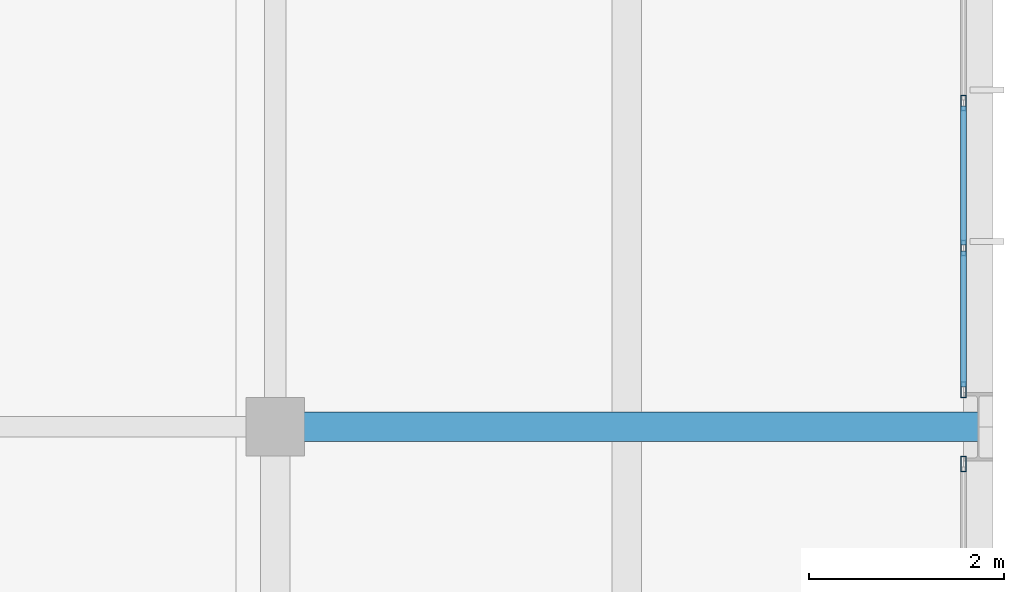
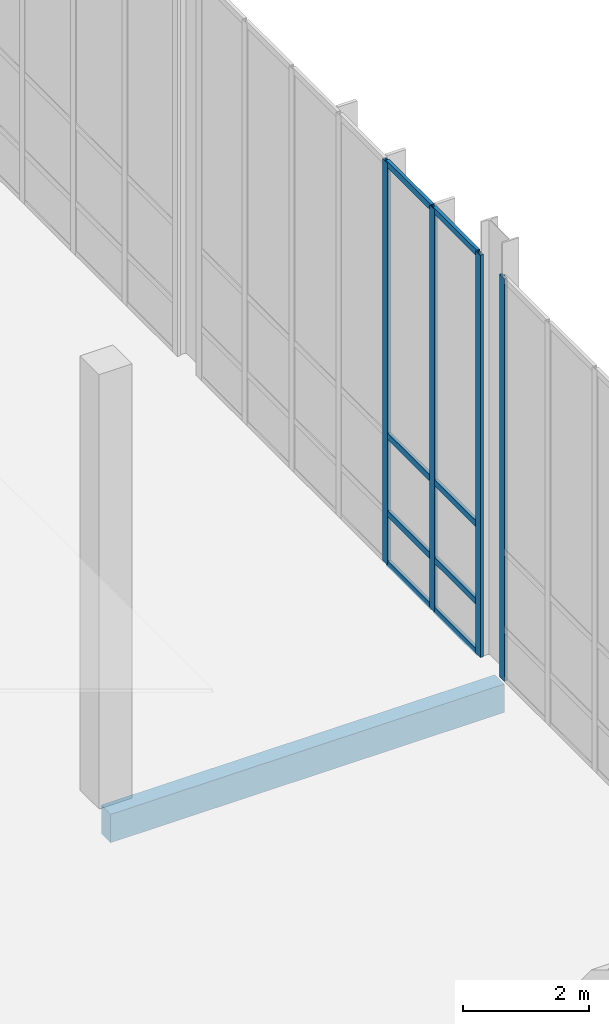
# One storey, part 88 of 131: 12 members, 1 beam, 2 elements without a shape of their own.
"""IFC4 building model written with IfcOpenShell, lengths in metres."""

import ifcopenshell
import ifcopenshell.guid

model = None  # the IFC model being written
_history = None  # IfcOwnerHistory: only IFC2X3 demands one
_inside = {}  # id of a spatial element -> (the spatial element, [elements in it])
_under = {}  # id of a project, library or spatial element -> (it, [spatial elements below it])
_declared = {}  # id of a project -> (the project, [libraries it declares])
_typed = {}  # id of a type object -> (the type object, [elements of that type])
_made_of = {}  # id of a material, layer set ... -> (it, [elements and type objects made of it])


def new_model(schema):
    """Start an empty IFC model of exactly this schema.

    Asked for "IFC4X3", IfcOpenShell would pick the latest addendum, in which some entities
    have other attributes; the version numbers below select the first issue.
    IFC2X3 requires an IfcOwnerHistory on every rooted entity: one is made here for all.
    """
    global model, _history
    if schema == "IFC4X3":
        model = ifcopenshell.file(schema_version=(4, 3, 0, 0))
    else:
        model = ifcopenshell.file(schema=schema)
    _inside.clear()
    _under.clear()
    _declared.clear()
    _typed.clear()
    _made_of.clear()
    _history = None
    if model.schema == "IFC2X3":
        org = make("IfcOrganization", Name="unknown")
        user = make(
            "IfcPersonAndOrganization",
            ThePerson=make("IfcPerson", FamilyName="unknown"),
            TheOrganization=org,
        )
        app = make(
            "IfcApplication",
            ApplicationDeveloper=org,
            Version="unknown",
            ApplicationFullName="unknown",
            ApplicationIdentifier="unknown",
        )
        _history = make(
            "IfcOwnerHistory",
            OwningUser=user,
            OwningApplication=app,
            ChangeAction="ADDED",
            CreationDate=0,
        )
    return model


def make(cls, **values):
    """One entity of the class cls with the attributes given. An attribute that is None is left unset."""
    return model.create_entity(
        cls, **{name: value for name, value in values.items() if value is not None}
    )


def rooted(cls, **values):
    """An entity with a GlobalId (a new one), such as an element, a storey or a relation."""
    return make(cls, GlobalId=ifcopenshell.guid.new(), OwnerHistory=_history, **values)


def si_unit(unit_type, name, prefix=None):
    """IfcSIUnit, for example si_unit("LENGTHUNIT", "METRE", prefix="MILLI")."""
    return make("IfcSIUnit", UnitType=unit_type, Prefix=prefix, Name=name)


def assignment(units):
    """IfcUnitAssignment: the units of a project."""
    return None if units is None else make("IfcUnitAssignment", Units=units)


def point(xyz):
    """IfcCartesianPoint."""
    return None if xyz is None else make("IfcCartesianPoint", Coordinates=xyz)


def direction(xyz):
    """IfcDirection."""
    return None if xyz is None else make("IfcDirection", DirectionRatios=xyz)


def frame(location, z_axis=None, x_axis=None):
    """IfcAxis2Placement3D, a coordinate frame: its origin and axes. An axis left out is left unset."""
    return make(
        "IfcAxis2Placement3D",
        Location=point(location),
        Axis=direction(z_axis),
        RefDirection=direction(x_axis),
    )


def frame_2d(location, x_axis=None):
    """IfcAxis2Placement2D, a coordinate frame in the plane: its origin and x axis."""
    return make(
        "IfcAxis2Placement2D", Location=point(location), RefDirection=direction(x_axis)
    )


def origin():
    """The frame at (0, 0, 0) with its axes left unset."""
    return frame((0.0, 0.0, 0.0))


def origin_2d():
    """The frame at (0, 0) in the plane with its x axis left unset."""
    return frame_2d((0.0, 0.0))


def place(relative_to, where):
    """IfcLocalPlacement: puts the frame where relative to a parent placement (None: the world)."""
    return make(
        "IfcLocalPlacement", PlacementRelTo=relative_to, RelativePlacement=where
    )


def context(
    kind, dimensions, precision=None, world=None, true_north=None, identifier=None
):
    """IfcGeometricRepresentationContext, for example the 3D "Model" context."""
    return make(
        "IfcGeometricRepresentationContext",
        ContextIdentifier=identifier,
        ContextType=kind,
        CoordinateSpaceDimension=dimensions,
        Precision=precision,
        WorldCoordinateSystem=world,
        TrueNorth=true_north,
    )


def subcontext(parent, identifier, kind, view, scale=None):
    """IfcGeometricRepresentationSubContext, for example "Body" below "Model"."""
    return make(
        "IfcGeometricRepresentationSubContext",
        ContextIdentifier=identifier,
        ContextType=kind,
        ParentContext=parent,
        TargetScale=scale,
        TargetView=view,
    )


def project(units=None, contexts=None):
    """IfcProject with its units and contexts."""
    return rooted(
        "IfcProject",
        Name="project",
        RepresentationContexts=contexts,
        UnitsInContext=assignment(units),
    )


def spatial(cls, under=None, at=None, **own):
    """A site, building, storey or space (cls), placed at a placement, below another one or the project."""
    s = rooted(cls, ObjectPlacement=at, **own)
    if under is not None:
        _under.setdefault(under.id(), (under, []))[1].append(s)
    return s


def profile(cls, at=None, kind="AREA", **sizes):
    """A parametric profile (cls). Its sizes go by their IFC names, for example OverallWidth=200.0."""
    return make(cls, ProfileType=kind, Position=at, **sizes)


def rectangle(**sizes):
    """IfcRectangleProfileDef."""
    return profile("IfcRectangleProfileDef", **sizes)


def hollow_rectangle(**sizes):
    """IfcRectangleHollowProfileDef."""
    return profile("IfcRectangleHollowProfileDef", **sizes)


def extrude(swept, where, along, depth):
    """IfcExtrudedAreaSolid: the profile swept, set in the frame where, extruded along a direction by depth."""
    return make(
        "IfcExtrudedAreaSolid",
        SweptArea=swept,
        Position=where,
        ExtrudedDirection=direction(along),
        Depth=depth,
    )


def shape(context_of_items, identifier, shape_type, items):
    """IfcShapeRepresentation: the items that make up one representation, for example the "Body"."""
    return make(
        "IfcShapeRepresentation",
        ContextOfItems=context_of_items,
        RepresentationIdentifier=identifier,
        RepresentationType=shape_type,
        Items=items,
    )


def material(Name=None, Category=None):
    """IfcMaterial."""
    return make("IfcMaterial", Name=Name, Category=Category)


def material_profile(
    of_material, cross_section, Name=None, Category=None, Priority=None
):
    """IfcMaterialProfile: a cross section and its material."""
    return make(
        "IfcMaterialProfile",
        Name=Name,
        Material=of_material,
        Profile=cross_section,
        Priority=Priority,
        Category=Category,
    )


def profile_set(profiles, Name=None, composite=None):
    """IfcMaterialProfileSet."""
    return make(
        "IfcMaterialProfileSet",
        Name=Name,
        MaterialProfiles=profiles,
        CompositeProfile=composite,
    )


def made_of(thing, what):
    """Note that an element or type object is made of a material, layer set ...; save() writes the relation."""
    if what is not None:
        _made_of.setdefault(what.id(), (what, []))[1].append(thing)
    return thing


def type_object(cls, material=None, **own):
    """A type object (cls), such as IfcWallType, which elements share."""
    return made_of(rooted(cls, **own), material)


def element(
    cls,
    number,
    at=None,
    inside=None,
    cuts=None,
    type_object=None,
    material=None,
    context=None,
    identifier="Body",
    shape_type=None,
    held_by="IfcProductDefinitionShape",
    body=None,
    shapes=None,
    **own,
):
    """One element of the class cls, such as IfcWall. Its Tag is "e" and its number.

    at: its placement. inside: the storey or other place that contains it. cuts: it is an
    opening in that element (IfcRelVoidsElement). A single representation is given by context,
    identifier, shape_type and body (its items); several are given by shapes. held_by: the class
    of the entity that holds the representations. save() writes the other relations.
    """
    e = rooted(cls, Tag="e%d" % number, ObjectPlacement=at, **own)
    if body is not None:
        shapes = [shape(context, identifier, shape_type, body)]
    if shapes is not None:
        e.Representation = make(held_by, Representations=shapes)
    if inside is not None:
        _inside.setdefault(inside.id(), (inside, []))[1].append(e)
    if cuts is not None:
        rooted(
            "IfcRelVoidsElement", RelatingBuildingElement=cuts, RelatedOpeningElement=e
        )
    if type_object is not None:
        _typed.setdefault(type_object.id(), (type_object, []))[1].append(e)
    return made_of(e, material)


def aggregate(whole, parts):
    """IfcRelAggregates: a whole, such as a stair, and the parts it consists of."""
    return rooted("IfcRelAggregates", RelatingObject=whole, RelatedObjects=parts)


def save(model, path):
    """Write the relations noted so far, then the file.

    IfcRelAggregates (storeys below a building ...), IfcRelContainedInSpatialStructure (elements
    in a storey), IfcRelDefinesByType, IfcRelAssociatesMaterial and IfcRelDeclares: one each for
    every whole, place, type object, material and project.
    """
    for whole, parts in _under.values():
        aggregate(whole, parts)
    for where, things in _inside.values():
        rooted(
            "IfcRelContainedInSpatialStructure",
            RelatedElements=things,
            RelatingStructure=where,
        )
    for kind, things in _typed.values():
        rooted("IfcRelDefinesByType", RelatedObjects=things, RelatingType=kind)
    for what, things in _made_of.values():
        rooted("IfcRelAssociatesMaterial", RelatedObjects=things, RelatingMaterial=what)
    for by, libraries in _declared.values():
        rooted("IfcRelDeclares", RelatingContext=by, RelatedDefinitions=libraries)
    model.write(path)


model = new_model("IFC4")

# Units and contexts
model_context = context("Model", 3, precision=1e-05, world=origin(), true_north=direction((0.0, 1.0)))
body_context = subcontext(model_context, "Body", "Model", "MODEL_VIEW")
ifc_project = project(units=[si_unit("LENGTHUNIT", "METRE"), si_unit("AREAUNIT", "SQUARE_METRE"), si_unit("VOLUMEUNIT", "CUBIC_METRE"), si_unit("PLANEANGLEUNIT", "RADIAN"), si_unit("MASSUNIT", "GRAM", prefix="KILO")], contexts=[model_context])

# Site, building, storey
site_placement = place(None, origin())
site = spatial("IfcSite", under=ifc_project, at=site_placement, CompositionType="ELEMENT")
building_placement = place(site_placement, origin())
building = spatial("IfcBuilding", under=site, at=building_placement, Name="Veltarok Museum of Natural Sciences", CompositionType="ELEMENT")
storey_placement = place(building_placement, origin())
storey = spatial("IfcBuildingStorey", under=building, at=storey_placement, Name="L00", CompositionType="ELEMENT", Elevation=0.0)

# Curtain wall, members
ifc_material_1 = material(Name="Low-iron triple insulated glass", Category="glass")
curtain_wall_type_1 = type_object("IfcCurtainWallType", Name="Curtain Wall System CW-V5E-L00-B-890x778 (V5 East Lab L00 B-C 890x778cm)", PredefinedType="NOTDEFINED", material=ifc_material_1)
curtain_wall_1_placement = place(storey_placement, origin())
curtain_wall_1 = element("IfcCurtainWall", 1, at=curtain_wall_1_placement, inside=storey, type_object=curtain_wall_type_1, Name="Curtain Wall CW-V5E-L00-B-890x778 CW-0099", PredefinedType="NOTDEFINED")
ifc_material_2 = material(Name="Thermally broken anodised aluminium", Category="aluminium")
ifc_material_profile_1 = material_profile(ifc_material_2, hollow_rectangle(XDim=0.06005859375, YDim=0.1201171875, WallThickness=0.0048828125, at=origin_2d()), Name="CW TRANSOM 60x120x5")
ifc_profile_set_1 = profile_set([ifc_material_profile_1], Name="Thermally broken anodised aluminium")
member_type_1 = type_object("IfcMemberType", Name="Curtain Wall Horizontal Transom 60x120x5", PredefinedType="USERDEFINED", material=ifc_profile_set_1)
member_1_placement = place(storey_placement, frame((164.64990234375, 10.010009765625, 0.030029296875), z_axis=(0.0, 1.0, 0.0), x_axis=(-1.0, 0.0, 0.0)))
member_1 = element("IfcMember", 2, at=member_1_placement, type_object=member_type_1, Name="CW-V5E-L00-B-890x778 transom 1.1", ObjectType="TRANSOM", PredefinedType="USERDEFINED", context=body_context, shape_type="SweptSolid", body=[
    extrude(hollow_rectangle(XDim=0.06005859375, YDim=0.1201171875, WallThickness=0.0048828125, at=origin_2d()), origin(), (0.0, 0.0, 1.0), 1.393310546875),
])
member_2_placement = place(storey_placement, frame((164.64990234375, 10.010009765625, 1.0), z_axis=(0.0, 1.0, 0.0), x_axis=(-1.0, 0.0, 0.0)))
member_2 = element("IfcMember", 3, at=member_2_placement, type_object=member_type_1, Name="CW-V5E-L00-B-890x778 transom 1.2", ObjectType="TRANSOM", PredefinedType="USERDEFINED", context=body_context, shape_type="SweptSolid", body=[
    extrude(hollow_rectangle(XDim=0.06005859375, YDim=0.1201171875, WallThickness=0.0048828125, at=origin_2d()), origin(), (0.0, 0.0, 1.0), 1.393310546875),
])
member_3_placement = place(storey_placement, frame((164.64990234375, 10.010009765625, 2.5), z_axis=(0.0, 1.0, 0.0), x_axis=(-1.0, 0.0, 0.0)))
member_3 = element("IfcMember", 4, at=member_3_placement, type_object=member_type_1, Name="CW-V5E-L00-B-890x778 transom 1.3", ObjectType="TRANSOM", PredefinedType="USERDEFINED", context=body_context, shape_type="SweptSolid", body=[
    extrude(hollow_rectangle(XDim=0.06005859375, YDim=0.1201171875, WallThickness=0.0048828125, at=origin_2d()), origin(), (0.0, 0.0, 1.0), 1.393310546875),
])
member_4_placement = place(storey_placement, frame((164.64990234375, 10.010009765625, 7.75), z_axis=(0.0, 1.0, 0.0), x_axis=(-1.0, 0.0, 0.0)))
member_4 = element("IfcMember", 5, at=member_4_placement, type_object=member_type_1, Name="CW-V5E-L00-B-890x778 transom 1.4", ObjectType="TRANSOM", PredefinedType="USERDEFINED", context=body_context, shape_type="SweptSolid", body=[
    extrude(hollow_rectangle(XDim=0.06005859375, YDim=0.1201171875, WallThickness=0.0048828125, at=origin_2d()), origin(), (0.0, 0.0, 1.0), 1.393310546875),
])
member_5_placement = place(storey_placement, frame((164.64990234375, 11.46337890625, 0.030029296875), z_axis=(0.0, 1.0, 0.0), x_axis=(-1.0, 0.0, 0.0)))
member_5 = element("IfcMember", 6, at=member_5_placement, type_object=member_type_1, Name="CW-V5E-L00-B-890x778 transom 2.1", ObjectType="TRANSOM", PredefinedType="USERDEFINED", context=body_context, shape_type="SweptSolid", body=[
    extrude(hollow_rectangle(XDim=0.06005859375, YDim=0.1201171875, WallThickness=0.0048828125, at=origin_2d()), origin(), (0.0, 0.0, 1.0), 1.42333984375),
])
member_6_placement = place(storey_placement, frame((164.64990234375, 11.46337890625, 1.0), z_axis=(0.0, 1.0, 0.0), x_axis=(-1.0, 0.0, 0.0)))
member_6 = element("IfcMember", 7, at=member_6_placement, type_object=member_type_1, Name="CW-V5E-L00-B-890x778 transom 2.2", ObjectType="TRANSOM", PredefinedType="USERDEFINED", context=body_context, shape_type="SweptSolid", body=[
    extrude(hollow_rectangle(XDim=0.06005859375, YDim=0.1201171875, WallThickness=0.0048828125, at=origin_2d()), origin(), (0.0, 0.0, 1.0), 1.42333984375),
])
member_7_placement = place(storey_placement, frame((164.64990234375, 11.46337890625, 2.5), z_axis=(0.0, 1.0, 0.0), x_axis=(-1.0, 0.0, 0.0)))
member_7 = element("IfcMember", 8, at=member_7_placement, type_object=member_type_1, Name="CW-V5E-L00-B-890x778 transom 2.3", ObjectType="TRANSOM", PredefinedType="USERDEFINED", context=body_context, shape_type="SweptSolid", body=[
    extrude(hollow_rectangle(XDim=0.06005859375, YDim=0.1201171875, WallThickness=0.0048828125, at=origin_2d()), origin(), (0.0, 0.0, 1.0), 1.42333984375),
])
member_8_placement = place(storey_placement, frame((164.64990234375, 11.46337890625, 7.75), z_axis=(0.0, 1.0, 0.0), x_axis=(-1.0, 0.0, 0.0)))
member_8 = element("IfcMember", 9, at=member_8_placement, type_object=member_type_1, Name="CW-V5E-L00-B-890x778 transom 2.4", ObjectType="TRANSOM", PredefinedType="USERDEFINED", context=body_context, shape_type="SweptSolid", body=[
    extrude(hollow_rectangle(XDim=0.06005859375, YDim=0.1201171875, WallThickness=0.0048828125, at=origin_2d()), origin(), (0.0, 0.0, 1.0), 1.42333984375),
])

# Curtain wall, member
curtain_wall_type_2 = type_object("IfcCurtainWallType", Name="Curtain Wall System CW-V5E-L00-A-890x778 (V5 East Lab L00 A-B 890x778cm)", PredefinedType="NOTDEFINED", material=ifc_material_1)
curtain_wall_2_placement = place(storey_placement, origin())
curtain_wall_2 = element("IfcCurtainWall", 10, at=curtain_wall_2_placement, inside=storey, type_object=curtain_wall_type_2, Name="Curtain Wall CW-V5E-L00-A-890x778 CW-0098", PredefinedType="NOTDEFINED")
ifc_material_profile_2 = material_profile(ifc_material_2, hollow_rectangle(XDim=0.06005859375, YDim=0.159912109375, WallThickness=0.0048828125, at=origin_2d()), Name="CW MULLION 60x160x5")
ifc_profile_set_2 = profile_set([ifc_material_profile_2], Name="Thermally broken anodised aluminium")
member_type_2 = type_object("IfcMemberType", Name="Curtain Wall Vertical Mullion 60x160x5", PredefinedType="MULLION", material=ifc_profile_set_2)
member_9_placement = place(storey_placement, frame((164.64990234375, 9.219970703125, 0.0), z_axis=(0.0, 0.0, 1.0), x_axis=(-1.0, 0.0, 0.0)))
member_9 = element("IfcMember", 11, at=member_9_placement, type_object=member_type_2, Name="CW-V5E-L00-A-890x778 mullion 7", PredefinedType="MULLION", context=body_context, shape_type="SweptSolid", body=[
    extrude(hollow_rectangle(XDim=0.06005859375, YDim=0.159912109375, WallThickness=0.0048828125, at=origin_2d()), origin(), (0.0, 0.0, 1.0), 7.780029296875),
])
aggregate(curtain_wall_2, [member_9])

# Member
member_10_placement = place(storey_placement, frame((164.64990234375, 9.97998046875, 0.0), z_axis=(0.0, 0.0, 1.0), x_axis=(-1.0, 0.0, 0.0)))
member_10 = element("IfcMember", 12, at=member_10_placement, type_object=member_type_2, Name="CW-V5E-L00-B-890x778 mullion 1", PredefinedType="MULLION", context=body_context, shape_type="SweptSolid", body=[
    extrude(hollow_rectangle(XDim=0.06005859375, YDim=0.159912109375, WallThickness=0.0048828125, at=origin_2d()), origin(), (0.0, 0.0, 1.0), 7.780029296875),
])

member_11_placement = place(storey_placement, frame((164.64990234375, 11.433349609375, 0.0), z_axis=(0.0, 0.0, 1.0), x_axis=(-1.0, 0.0, 0.0)))
member_11 = element("IfcMember", 13, at=member_11_placement, type_object=member_type_2, Name="CW-V5E-L00-B-890x778 mullion 2", PredefinedType="MULLION", context=body_context, shape_type="SweptSolid", body=[
    extrude(hollow_rectangle(XDim=0.06005859375, YDim=0.159912109375, WallThickness=0.0048828125, at=origin_2d()), origin(), (0.0, 0.0, 1.0), 7.780029296875),
])

member_12_placement = place(storey_placement, frame((164.64990234375, 12.916748046875, 0.0), z_axis=(0.0, 0.0, 1.0), x_axis=(-1.0, 0.0, 0.0)))
member_12 = element("IfcMember", 14, at=member_12_placement, type_object=member_type_2, Name="CW-V5E-L00-B-890x778 mullion 3", PredefinedType="MULLION", context=body_context, shape_type="SweptSolid", body=[
    extrude(hollow_rectangle(XDim=0.06005859375, YDim=0.159912109375, WallThickness=0.0048828125, at=origin_2d()), origin(), (0.0, 0.0, 1.0), 7.780029296875),
])

aggregate(curtain_wall_1, [member_10, member_11, member_12, member_1, member_2, member_3, member_4, member_5, member_6, member_7, member_8])

# Beam
ifc_material_3 = material(Name="Precast concrete C40/50", Category="concrete")
ifc_material_profile_3 = material_profile(ifc_material_3, rectangle(XDim=0.300048828125, YDim=0.550048828125, at=origin_2d()), Name="RC 300x550")
ifc_profile_set_3 = profile_set([ifc_material_profile_3], Name="Precast concrete C40/50")
beam_type = type_object("IfcBeamType", Name="East Wing Precast Spandrel RC 300x550", PredefinedType="SPANDREL", material=ifc_profile_set_3)
beam_placement = place(storey_placement, frame((157.60009765625, 9.60009765625, -0.574951171875), z_axis=(1.0, 0.0, 0.0), x_axis=(0.0, 1.0, 0.0)))
element("IfcBeam", 15, at=beam_placement, inside=storey, type_object=beam_type, Name="Beam BM-SP02 L00 19-20/B", PredefinedType="SPANDREL", context=body_context, shape_type="SweptSolid", body=[
    extrude(rectangle(XDim=0.300048828125, YDim=0.550048828125, at=origin_2d()), origin(), (0.0, 0.0, 1.0), 7.199951171875),
])

save(model, "model.ifc")
